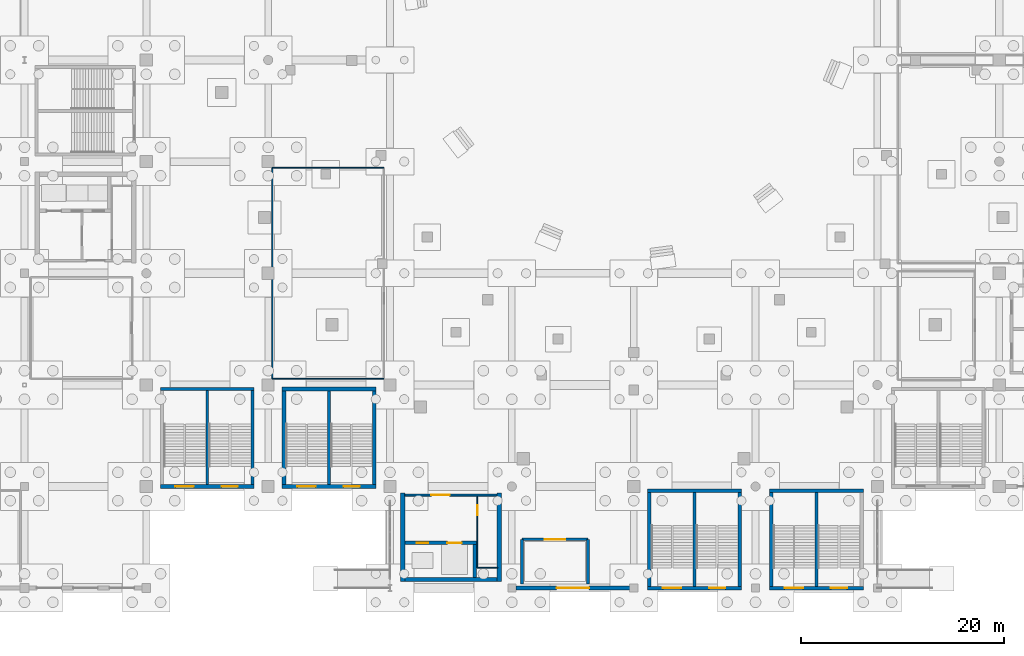
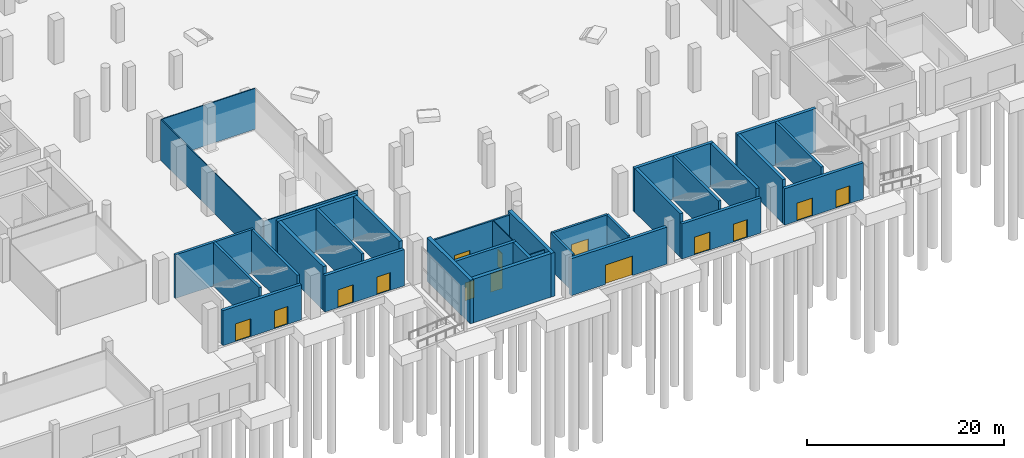
# One storey, part 50 of 70: 33 walls, 14 doors, 14 openings.
"""IFC4 building model written with IfcOpenShell, lengths in metres."""

from ifc_helpers import new_model, si_unit, direction, frame, frame_2d, origin, place, context, subcontext, project, spatial, rectangle, extrude, material, layer, layer_set, type_object, element, fill, save


model = new_model("IFC4")

# Units and contexts
model_context = context("Model", 3, precision=1e-05, world=origin(), true_north=direction((0.0, 1.0)))
body_context = subcontext(model_context, "Body", "Model", "MODEL_VIEW")
ifc_project = project(units=[si_unit("LENGTHUNIT", "METRE"), si_unit("AREAUNIT", "SQUARE_METRE"), si_unit("VOLUMEUNIT", "CUBIC_METRE"), si_unit("PLANEANGLEUNIT", "RADIAN"), si_unit("MASSUNIT", "GRAM", prefix="KILO")], contexts=[model_context])

# Site, building, storey
site_placement = place(None, origin())
site = spatial("IfcSite", under=ifc_project, at=site_placement, CompositionType="ELEMENT")
building_placement = place(site_placement, origin())
building = spatial("IfcBuilding", under=site, at=building_placement, Name="Brinegate Civic Arena", CompositionType="ELEMENT")
storey_placement = place(building_placement, origin())
storey = spatial("IfcBuildingStorey", under=building, at=storey_placement, Name="L00", CompositionType="ELEMENT", Elevation=0.0)

# Walls
ifc_material_1 = material(Name="Concrete C50/60", Category="concrete")
ifc_layer_1 = layer(ifc_material_1, 0.35009765625, Name="Concrete C50/60")
ifc_layer_set_1 = layer_set([ifc_layer_1], Name="Concrete C50/60")
wall_type_1 = type_object("IfcWallType", Name="WALL-CORE-SHEAR-350", PredefinedType="SHEAR", material=ifc_layer_set_1)
for number, where, z_axis, x_axis, name in (
    (1, (121.375, 9.60009765625, 0.0), (0.0, 0.0, 1.0), (1.0, 0.0, 0.0), "Stair ST-04 North Shear Wall L00 (WBB-93)"),
    (2, (121.550048828125, 0.175048828125, 0.0), (0.0, 0.0, 1.0), (0.0, 1.0, 0.0), "Stair ST-04 West Shear Wall L00 (WBB-94)"),
    (3, (109.375, 9.60009765625, 0.0), (0.0, 0.0, 1.0), (1.0, 0.0, 0.0), "Stair ST-16 North Shear Wall L00 (WBF-12)"),
    (4, (109.550048828125, 0.175048828125, 0.0), (0.0, 0.0, 1.0), (0.0, 1.0, 0.0), "Stair ST-16 West Shear Wall L00 (WBF-13)"),
    (5, (118.449951171875, 0.175048828125, 0.0), (0.0, 0.0, 1.0), (0.0, 1.0, 0.0), "Stair ST-16 East Shear Wall L00 (WBF-14)"),
):
    element("IfcWall", number, at=place(storey_placement, frame(where, z_axis=z_axis, x_axis=x_axis)), inside=storey, type_object=wall_type_1, Name=name, PredefinedType="SHEAR", context=body_context, shape_type="SweptSolid", body=[
        extrude(rectangle(XDim=9.25, YDim=0.35009765625, at=frame_2d((4.625, 0.0))), origin(), (0.0, 0.0, 1.0), 5.39990234375),
    ])

# Wall, openings, doors
wall_1_placement = place(storey_placement, frame((85.4599609375, 4.449951171875, 0.0), z_axis=(0.0, 0.0, 1.0), x_axis=(1.0, 0.0, 0.0)))
wall_1 = element("IfcWall", 6, at=wall_1_placement, inside=storey, type_object=wall_type_1, Name="Core K4 Lift Shaft Front Wall L00 (WBH-03)", PredefinedType="SHEAR", context=body_context, shape_type="SweptSolid", body=[
    extrude(rectangle(XDim=7.06494140625, YDim=0.35009765625, at=frame_2d((3.532470703125, 0.0))), origin(), (0.0, 0.0, 1.0), 5.39990234375),
])
opening_1_placement = place(wall_1_placement, frame((1.18994140625, 0.0, 0.0)))
opening_1 = element("IfcOpeningElement", 7, at=opening_1_placement, cuts=wall_1, Name="Opening LD-PL6-L00", PredefinedType="OPENING", context=body_context, shape_type="SweptSolid", body=[
    extrude(rectangle(XDim=1.10009765625, YDim=2.199951171875, at=frame_2d((0.550048828125, 1.10009765625))), frame((0.0, 0.18505859375, 0.0), z_axis=(0.0, -1.0, 0.0), x_axis=(1.0, 0.0, 0.0)), (0.0, 0.0, 1.0), 0.3701171875),
])
opening_2_placement = place(wall_1_placement, frame((4.18994140625, 0.0, 0.0)))
opening_2 = element("IfcOpeningElement", 8, at=opening_2_placement, cuts=wall_1, Name="Opening LD-GL1-L00", PredefinedType="OPENING", context=body_context, shape_type="SweptSolid", body=[
    extrude(rectangle(XDim=1.39990234375, YDim=2.300048828125, at=frame_2d((0.699951171875, 1.14990234375))), frame((0.0, 0.18505859375, 0.0), z_axis=(0.0, -1.0, 0.0), x_axis=(1.0, 0.0, 0.0)), (0.0, 0.0, 1.0), 0.3701171875),
])
ifc_material_2 = material(Name="Architectural stainless steel balustrade", Category="steel")
door_type_1 = type_object("IfcDoorType", Name="DOOR-LIFT-1100X2200", OperationType="SLIDING_TO_LEFT", PredefinedType="DOOR", material=ifc_material_2)
door_1_placement = place(opening_1_placement, origin())
door_1 = element("IfcDoor", 9, at=door_1_placement, inside=storey, type_object=door_type_1, Name="Sliding Lift Landing Door LD-PL6-L00", OperationType="SLIDING_TO_LEFT", OverallHeight=2.199951171875, OverallWidth=1.10009765625, PredefinedType="DOOR", context=body_context, shape_type="SweptSolid", body=[
    extrude(rectangle(XDim=1.10009765625, YDim=2.199951171875, at=frame_2d((0.550048828125, 1.10009765625))), frame((0.0, 0.02490234375, 0.0), z_axis=(0.0, -1.0, 0.0), x_axis=(1.0, 0.0, 0.0)), (0.0, 0.0, 1.0), 0.050048828125),
])
fill(opening_1, door_1)
door_type_2 = type_object("IfcDoorType", Name="DOOR-LIFT-1400X2300", OperationType="SLIDING_TO_LEFT", PredefinedType="DOOR", material=ifc_material_2)
door_2_placement = place(opening_2_placement, origin())
door_2 = element("IfcDoor", 10, at=door_2_placement, inside=storey, type_object=door_type_2, Name="Sliding Lift Landing Door LD-GL1-L00", OperationType="SLIDING_TO_LEFT", OverallHeight=2.300048828125, OverallWidth=1.39990234375, PredefinedType="DOOR", context=body_context, shape_type="SweptSolid", body=[
    extrude(rectangle(XDim=1.39990234375, YDim=2.300048828125, at=frame_2d((0.699951171875, 1.14990234375))), frame((0.0, 0.02490234375, 0.0), z_axis=(0.0, -1.0, 0.0), x_axis=(1.0, 0.0, 0.0)), (0.0, 0.0, 1.0), 0.050048828125),
])
fill(opening_2, door_2)

# Walls
wall_2_placement = place(storey_placement, frame((92.35009765625, 1.06005859375, 0.0), z_axis=(0.0, 0.0, 1.0), x_axis=(0.0, 1.0, 0.0)))
element("IfcWall", 11, at=wall_2_placement, inside=storey, type_object=wall_type_1, Name="Core K4 Lift Shaft End Wall L00 (WBH-04)", PredefinedType="SHEAR", context=body_context, shape_type="SweptSolid", body=[
    extrude(rectangle(XDim=3.21484375, YDim=0.35009765625, at=frame_2d((1.607421875, 0.0))), origin(), (0.0, 0.0, 1.0), 5.39990234375),
])
ifc_layer_2 = layer(ifc_material_1, 0.389892578125, Name="Concrete C50/60")
ifc_layer_set_2 = layer_set([ifc_layer_2], Name="Concrete C50/60")
wall_type_2 = type_object("IfcWallType", Name="WALL-CORE-SHEAR-390", PredefinedType="SHEAR", material=ifc_layer_set_2)
wall_3_placement = place(storey_placement, frame((73.35498046875, 19.60009765625, 0.0), z_axis=(0.0, 0.0, 1.0), x_axis=(1.0, 0.0, 0.0)))
element("IfcWall", 12, at=wall_3_placement, inside=storey, type_object=wall_type_2, Name="Stair ST-12 North Shear Wall L00 (WBE-06)", PredefinedType="SHEAR", context=body_context, shape_type="SweptSolid", body=[
    extrude(rectangle(XDim=9.2900390625, YDim=0.389892578125, at=frame_2d((4.64501953125, 0.0))), origin(), (0.0, 0.0, 1.0), 5.39990234375),
])
for number, where, z_axis, x_axis, name in (
    (13, (73.550048828125, 10.175048828125, 0.0), (0.0, 0.0, 1.0), (0.0, 1.0, 0.0), "Stair ST-12 West Shear Wall L00 (WBE-07)"),
    (14, (82.449951171875, 10.175048828125, 0.0), (0.0, 0.0, 1.0), (0.0, 1.0, 0.0), "Stair ST-12 East Shear Wall L00 (WBE-08)"),
):
    element("IfcWall", number, at=place(storey_placement, frame(where, z_axis=z_axis, x_axis=x_axis)), inside=storey, type_object=wall_type_2, Name=name, PredefinedType="SHEAR", context=body_context, shape_type="SweptSolid", body=[
        extrude(rectangle(XDim=9.22998046875, YDim=0.389892578125, at=frame_2d((4.614990234375, 0.0))), origin(), (0.0, 0.0, 1.0), 5.39990234375),
    ])
ifc_layer_3 = layer(ifc_material_1, 0.419921875, Name="Concrete C50/60")
ifc_layer_set_3 = layer_set([ifc_layer_3], Name="Concrete C50/60")
wall_type_3 = type_object("IfcWallType", Name="WALL-CORE-SHEAR-420", PredefinedType="SHEAR", material=ifc_layer_set_3)
for number, where, z_axis, x_axis, name in (
    (15, (85.25, 0.639892578125, 0.0), (0.0, 0.0, 1.0), (0.0, 1.0, 0.0), "Core K4 West Shear Wall L00 (WBG-99)"),
    (16, (94.75, 0.639892578125, 0.0), (0.0, 0.0, 1.0), (0.0, 1.0, 0.0), "Core K4 East Shear Wall L00 (WBH-01)"),
):
    element("IfcWall", number, at=place(storey_placement, frame(where, z_axis=z_axis, x_axis=x_axis)), inside=storey, type_object=wall_type_3, Name=name, PredefinedType="SHEAR", context=body_context, shape_type="SweptSolid", body=[
        extrude(rectangle(XDim=8.72021484375, YDim=0.419921875, at=frame_2d((4.360107421875, 0.0))), origin(), (0.0, 0.0, 1.0), 5.39990234375),
    ])
wall_4_placement = place(storey_placement, frame((85.4599609375, 0.85009765625, 0.0), z_axis=(0.0, 0.0, 1.0), x_axis=(1.0, 0.0, 0.0)))
element("IfcWall", 17, at=wall_4_placement, inside=storey, type_object=wall_type_3, Name="Core K4 South Shear Wall L00 (WBH-02)", PredefinedType="SHEAR", context=body_context, shape_type="SweptSolid", body=[
    extrude(rectangle(XDim=9.080078125, YDim=0.419921875, at=frame_2d((4.5400390625, 0.0))), origin(), (0.0, 0.0, 1.0), 5.39990234375),
])

# Wall, opening, door
ifc_material_3 = material(Name="Precast concrete C45/55", Category="concrete")
ifc_layer_4 = layer(ifc_material_3, 0.360107421875, Name="Precast concrete C45/55")
ifc_layer_set_4 = layer_set([ifc_layer_4], Name="Precast concrete C45/55")
wall_type_4 = type_object("IfcWallType", Name="WALL-EXT-PRECAST-360", PredefinedType="SOLIDWALL", material=ifc_layer_set_4)
wall_5_placement = place(storey_placement, frame((96.385009765625, 0.0, 0.0), z_axis=(0.0, 0.0, 1.0), x_axis=(1.0, 0.0, 0.0)))
wall_5 = element("IfcWall", 18, at=wall_5_placement, inside=storey, type_object=wall_type_4, Name="L00 Perimeter Wall SP-1 (WBA-20)", PredefinedType="SOLIDWALL", context=body_context, shape_type="SweptSolid", body=[
    extrude(rectangle(XDim=11.22998046875, YDim=0.360107421875, at=frame_2d((5.614990234375, 0.0))), origin(), (0.0, 0.0, 1.0), 4.573974609375),
])
opening_3_placement = place(wall_5_placement, frame((4.014892578125, 0.0, 0.0)))
opening_3 = element("IfcOpeningElement", 19, at=opening_3_placement, cuts=wall_5, Name="Opening E-01", PredefinedType="OPENING", context=body_context, shape_type="SweptSolid", body=[
    extrude(rectangle(XDim=3.199951171875, YDim=2.39990234375, at=frame_2d((1.60009765625, 1.199951171875))), frame((0.0, 0.18994140625, 0.0), z_axis=(0.0, -1.0, 0.0), x_axis=(1.0, 0.0, 0.0)), (0.0, 0.0, 1.0), 0.380126953125),
])
ifc_material_4 = material(Name="Marine grade aluminium", Category="aluminium")
door_type_3 = type_object("IfcDoorType", Name="DOOR-FINAL-EXIT-3200X2400", OperationType="NOTDEFINED", PredefinedType="DOOR", material=ifc_material_4)
door_3_placement = place(opening_3_placement, frame((3.199951171875, 0.0, 0.0), z_axis=(0.0, 0.0, 1.0), x_axis=(-1.0, 0.0, 0.0)))
door_3 = element("IfcDoor", 20, at=door_3_placement, inside=storey, type_object=door_type_3, Name="Main Pedestrian Final Exit Door E-01", OperationType="DOUBLE_DOOR_SINGLE_SWING", OverallHeight=2.39990234375, OverallWidth=3.199951171875, PredefinedType="DOOR", context=body_context, shape_type="SweptSolid", body=[
    extrude(rectangle(XDim=3.199951171875, YDim=2.39990234375, at=frame_2d((1.60009765625, 1.199951171875))), frame((0.0, 0.02490234375, 0.0), z_axis=(0.0, -1.0, 0.0), x_axis=(1.0, 0.0, 0.0)), (0.0, 0.0, 1.0), 0.050048828125),
])
fill(opening_3, door_3)

# Wall, openings, doors
ifc_layer_5 = layer(ifc_material_1, 0.35009765625, Name="Concrete C50/60")
ifc_layer_set_5 = layer_set([ifc_layer_5], Name="Concrete C50/60")
wall_type_5 = type_object("IfcWallType", Name="WALL-EXT-STAIR-SHEAR-350", PredefinedType="SHEAR", material=ifc_layer_set_5)
wall_6_placement = place(storey_placement, frame((61.405029296875, 10.0, 0.0), z_axis=(0.0, 0.0, 1.0), x_axis=(1.0, 0.0, 0.0)))
wall_6 = element("IfcWall", 21, at=wall_6_placement, inside=storey, type_object=wall_type_5, Name="Stair ST-02 South Shear Wall L00 (WBB-32)", PredefinedType="SHEAR", context=body_context, shape_type="SweptSolid", body=[
    extrude(rectangle(XDim=9.18994140625, YDim=0.35009765625, at=frame_2d((4.594970703125, 0.0))), origin(), (0.0, 0.0, 1.0), 4.346923828125),
])
opening_4_placement = place(wall_6_placement, frame((1.469970703125, 0.0, 0.0)))
opening_4 = element("IfcOpeningElement", 22, at=opening_4_placement, cuts=wall_6, Name="Opening E-ST02A", PredefinedType="OPENING", context=body_context, shape_type="SweptSolid", body=[
    extrude(rectangle(XDim=1.800048828125, YDim=2.199951171875, at=frame_2d((0.89990234375, 1.10009765625))), frame((0.0, 0.18505859375, 0.0), z_axis=(0.0, -1.0, 0.0), x_axis=(1.0, 0.0, 0.0)), (0.0, 0.0, 1.0), 0.3701171875),
])
opening_5_placement = place(wall_6_placement, frame((6.02001953125, 0.0, 0.0)))
opening_5 = element("IfcOpeningElement", 23, at=opening_5_placement, cuts=wall_6, Name="Opening E-ST02B", PredefinedType="OPENING", context=body_context, shape_type="SweptSolid", body=[
    extrude(rectangle(XDim=1.60009765625, YDim=2.199951171875, at=frame_2d((0.800048828125, 1.10009765625))), frame((0.0, 0.18505859375, 0.0), z_axis=(0.0, -1.0, 0.0), x_axis=(1.0, 0.0, 0.0)), (0.0, 0.0, 1.0), 0.3701171875),
])
door_type_4 = type_object("IfcDoorType", Name="DOOR-LOGGIA-1600X2200", OperationType="NOTDEFINED", PredefinedType="DOOR", material=ifc_material_4)
door_4_placement = place(opening_5_placement, frame((1.60009765625, 0.0, 0.0), z_axis=(0.0, 0.0, 1.0), x_axis=(-1.0, 0.0, 0.0)))
door_4 = element("IfcDoor", 24, at=door_4_placement, inside=storey, type_object=door_type_4, Name="Stair Final Exit Discharge Door E-ST02B", OperationType="DOUBLE_DOOR_SINGLE_SWING", OverallHeight=2.199951171875, OverallWidth=1.60009765625, PredefinedType="DOOR", context=body_context, shape_type="SweptSolid", body=[
    extrude(rectangle(XDim=1.60009765625, YDim=2.199951171875, at=frame_2d((0.800048828125, 1.10009765625))), frame((0.0, 0.02490234375, 0.0), z_axis=(0.0, -1.0, 0.0), x_axis=(1.0, 0.0, 0.0)), (0.0, 0.0, 1.0), 0.050048828125),
])
fill(opening_5, door_4)
door_type_5 = type_object("IfcDoorType", Name="DOOR-LOGGIA-1800X2200", OperationType="NOTDEFINED", PredefinedType="DOOR", material=ifc_material_4)
door_5_placement = place(opening_4_placement, frame((1.800048828125, 0.0, 0.0), z_axis=(0.0, 0.0, 1.0), x_axis=(-1.0, 0.0, 0.0)))
door_5 = element("IfcDoor", 25, at=door_5_placement, inside=storey, type_object=door_type_5, Name="Stair Final Exit Discharge Door E-ST02A", OperationType="DOUBLE_DOOR_SINGLE_SWING", OverallHeight=2.199951171875, OverallWidth=1.800048828125, PredefinedType="DOOR", context=body_context, shape_type="SweptSolid", body=[
    extrude(rectangle(XDim=1.800048828125, YDim=2.199951171875, at=frame_2d((0.89990234375, 1.10009765625))), frame((0.0, 0.02490234375, 0.0), z_axis=(0.0, -1.0, 0.0), x_axis=(1.0, 0.0, 0.0)), (0.0, 0.0, 1.0), 0.050048828125),
])
fill(opening_4, door_5)

wall_7_placement = place(storey_placement, frame((121.375, 0.0, 0.0), z_axis=(0.0, 0.0, 1.0), x_axis=(1.0, 0.0, 0.0)))
wall_7 = element("IfcWall", 26, at=wall_7_placement, inside=storey, type_object=wall_type_5, Name="Stair ST-04 South Shear Wall L00 (WBB-92)", PredefinedType="SHEAR", context=body_context, shape_type="SweptSolid", body=[
    extrude(rectangle(XDim=9.25, YDim=0.35009765625, at=frame_2d((4.625, 0.0))), origin(), (0.0, 0.0, 1.0), 4.49609375),
])
opening_6_placement = place(wall_7_placement, frame((1.5, 0.0, 0.0)))
opening_6 = element("IfcOpeningElement", 27, at=opening_6_placement, cuts=wall_7, Name="Opening E-ST04A", PredefinedType="OPENING", context=body_context, shape_type="SweptSolid", body=[
    extrude(rectangle(XDim=1.800048828125, YDim=2.199951171875, at=frame_2d((0.89990234375, 1.10009765625))), frame((0.0, 0.18505859375, 0.0), z_axis=(0.0, -1.0, 0.0), x_axis=(1.0, 0.0, 0.0)), (0.0, 0.0, 1.0), 0.3701171875),
])
opening_7_placement = place(wall_7_placement, frame((6.050048828125, 0.0, 0.0)))
opening_7 = element("IfcOpeningElement", 28, at=opening_7_placement, cuts=wall_7, Name="Opening E-ST04B", PredefinedType="OPENING", context=body_context, shape_type="SweptSolid", body=[
    extrude(rectangle(XDim=1.60009765625, YDim=2.199951171875, at=frame_2d((0.800048828125, 1.10009765625))), frame((0.0, 0.18505859375, 0.0), z_axis=(0.0, -1.0, 0.0), x_axis=(1.0, 0.0, 0.0)), (0.0, 0.0, 1.0), 0.3701171875),
])
door_6_placement = place(opening_7_placement, frame((1.60009765625, 0.0, 0.0), z_axis=(0.0, 0.0, 1.0), x_axis=(-1.0, 0.0, 0.0)))
door_6 = element("IfcDoor", 29, at=door_6_placement, inside=storey, type_object=door_type_4, Name="Stair Final Exit Discharge Door E-ST04B", OperationType="DOUBLE_DOOR_SINGLE_SWING", OverallHeight=2.199951171875, OverallWidth=1.60009765625, PredefinedType="DOOR", context=body_context, shape_type="SweptSolid", body=[
    extrude(rectangle(XDim=1.60009765625, YDim=2.199951171875, at=frame_2d((0.800048828125, 1.10009765625))), frame((0.0, 0.02490234375, 0.0), z_axis=(0.0, -1.0, 0.0), x_axis=(1.0, 0.0, 0.0)), (0.0, 0.0, 1.0), 0.050048828125),
])
fill(opening_7, door_6)
door_7_placement = place(opening_6_placement, frame((1.800048828125, 0.0, 0.0), z_axis=(0.0, 0.0, 1.0), x_axis=(-1.0, 0.0, 0.0)))
door_7 = element("IfcDoor", 30, at=door_7_placement, inside=storey, type_object=door_type_5, Name="Stair Final Exit Discharge Door E-ST04A", OperationType="DOUBLE_DOOR_SINGLE_SWING", OverallHeight=2.199951171875, OverallWidth=1.800048828125, PredefinedType="DOOR", context=body_context, shape_type="SweptSolid", body=[
    extrude(rectangle(XDim=1.800048828125, YDim=2.199951171875, at=frame_2d((0.89990234375, 1.10009765625))), frame((0.0, 0.02490234375, 0.0), z_axis=(0.0, -1.0, 0.0), x_axis=(1.0, 0.0, 0.0)), (0.0, 0.0, 1.0), 0.050048828125),
])
fill(opening_6, door_7)

wall_8_placement = place(storey_placement, frame((73.35498046875, 10.0, 0.0), z_axis=(0.0, 0.0, 1.0), x_axis=(1.0, 0.0, 0.0)))
wall_8 = element("IfcWall", 31, at=wall_8_placement, inside=storey, type_object=wall_type_5, Name="Stair ST-12 South Shear Wall L00 (WBE-05)", PredefinedType="SHEAR", context=body_context, shape_type="SweptSolid", body=[
    extrude(rectangle(XDim=9.2900390625, YDim=0.35009765625, at=frame_2d((4.64501953125, 0.0))), origin(), (0.0, 0.0, 1.0), 4.49609375),
])
opening_8_placement = place(wall_8_placement, frame((1.52001953125, 0.0, 0.0)))
opening_8 = element("IfcOpeningElement", 32, at=opening_8_placement, cuts=wall_8, Name="Opening E-ST12A", PredefinedType="OPENING", context=body_context, shape_type="SweptSolid", body=[
    extrude(rectangle(XDim=1.800048828125, YDim=2.199951171875, at=frame_2d((0.89990234375, 1.10009765625))), frame((0.0, 0.18505859375, 0.0), z_axis=(0.0, -1.0, 0.0), x_axis=(1.0, 0.0, 0.0)), (0.0, 0.0, 1.0), 0.3701171875),
])
opening_9_placement = place(wall_8_placement, frame((6.070068359375, 0.0, 0.0)))
opening_9 = element("IfcOpeningElement", 33, at=opening_9_placement, cuts=wall_8, Name="Opening E-ST12B", PredefinedType="OPENING", context=body_context, shape_type="SweptSolid", body=[
    extrude(rectangle(XDim=1.60009765625, YDim=2.199951171875, at=frame_2d((0.800048828125, 1.10009765625))), frame((0.0, 0.18505859375, 0.0), z_axis=(0.0, -1.0, 0.0), x_axis=(1.0, 0.0, 0.0)), (0.0, 0.0, 1.0), 0.3701171875),
])
door_8_placement = place(opening_9_placement, frame((1.60009765625, 0.0, 0.0), z_axis=(0.0, 0.0, 1.0), x_axis=(-1.0, 0.0, 0.0)))
door_8 = element("IfcDoor", 34, at=door_8_placement, inside=storey, type_object=door_type_4, Name="Stair Final Exit Discharge Door E-ST12B", OperationType="DOUBLE_DOOR_SINGLE_SWING", OverallHeight=2.199951171875, OverallWidth=1.60009765625, PredefinedType="DOOR", context=body_context, shape_type="SweptSolid", body=[
    extrude(rectangle(XDim=1.60009765625, YDim=2.199951171875, at=frame_2d((0.800048828125, 1.10009765625))), frame((0.0, 0.02490234375, 0.0), z_axis=(0.0, -1.0, 0.0), x_axis=(1.0, 0.0, 0.0)), (0.0, 0.0, 1.0), 0.050048828125),
])
fill(opening_9, door_8)
door_9_placement = place(opening_8_placement, frame((1.800048828125, 0.0, 0.0), z_axis=(0.0, 0.0, 1.0), x_axis=(-1.0, 0.0, 0.0)))
door_9 = element("IfcDoor", 35, at=door_9_placement, inside=storey, type_object=door_type_5, Name="Stair Final Exit Discharge Door E-ST12A", OperationType="DOUBLE_DOOR_SINGLE_SWING", OverallHeight=2.199951171875, OverallWidth=1.800048828125, PredefinedType="DOOR", context=body_context, shape_type="SweptSolid", body=[
    extrude(rectangle(XDim=1.800048828125, YDim=2.199951171875, at=frame_2d((0.89990234375, 1.10009765625))), frame((0.0, 0.02490234375, 0.0), z_axis=(0.0, -1.0, 0.0), x_axis=(1.0, 0.0, 0.0)), (0.0, 0.0, 1.0), 0.050048828125),
])
fill(opening_8, door_9)

wall_9_placement = place(storey_placement, frame((109.375, 0.0, 0.0), z_axis=(0.0, 0.0, 1.0), x_axis=(1.0, 0.0, 0.0)))
wall_9 = element("IfcWall", 36, at=wall_9_placement, inside=storey, type_object=wall_type_5, Name="Stair ST-16 South Shear Wall L00 (WBF-11)", PredefinedType="SHEAR", context=body_context, shape_type="SweptSolid", body=[
    extrude(rectangle(XDim=9.25, YDim=0.35009765625, at=frame_2d((4.625, 0.0))), origin(), (0.0, 0.0, 1.0), 4.346923828125),
])
opening_10_placement = place(wall_9_placement, frame((1.5, 0.0, 0.0)))
opening_10 = element("IfcOpeningElement", 37, at=opening_10_placement, cuts=wall_9, Name="Opening E-ST16A", PredefinedType="OPENING", context=body_context, shape_type="SweptSolid", body=[
    extrude(rectangle(XDim=1.800048828125, YDim=2.199951171875, at=frame_2d((0.89990234375, 1.10009765625))), frame((0.0, 0.18505859375, 0.0), z_axis=(0.0, -1.0, 0.0), x_axis=(1.0, 0.0, 0.0)), (0.0, 0.0, 1.0), 0.3701171875),
])
opening_11_placement = place(wall_9_placement, frame((6.050048828125, 0.0, 0.0)))
opening_11 = element("IfcOpeningElement", 38, at=opening_11_placement, cuts=wall_9, Name="Opening E-ST16B", PredefinedType="OPENING", context=body_context, shape_type="SweptSolid", body=[
    extrude(rectangle(XDim=1.60009765625, YDim=2.199951171875, at=frame_2d((0.800048828125, 1.10009765625))), frame((0.0, 0.18505859375, 0.0), z_axis=(0.0, -1.0, 0.0), x_axis=(1.0, 0.0, 0.0)), (0.0, 0.0, 1.0), 0.3701171875),
])
door_10_placement = place(opening_11_placement, frame((1.60009765625, 0.0, 0.0), z_axis=(0.0, 0.0, 1.0), x_axis=(-1.0, 0.0, 0.0)))
door_10 = element("IfcDoor", 39, at=door_10_placement, inside=storey, type_object=door_type_4, Name="Stair Final Exit Discharge Door E-ST16B", OperationType="DOUBLE_DOOR_SINGLE_SWING", OverallHeight=2.199951171875, OverallWidth=1.60009765625, PredefinedType="DOOR", context=body_context, shape_type="SweptSolid", body=[
    extrude(rectangle(XDim=1.60009765625, YDim=2.199951171875, at=frame_2d((0.800048828125, 1.10009765625))), frame((0.0, 0.02490234375, 0.0), z_axis=(0.0, -1.0, 0.0), x_axis=(1.0, 0.0, 0.0)), (0.0, 0.0, 1.0), 0.050048828125),
])
fill(opening_11, door_10)
door_11_placement = place(opening_10_placement, frame((1.800048828125, 0.0, 0.0), z_axis=(0.0, 0.0, 1.0), x_axis=(-1.0, 0.0, 0.0)))
door_11 = element("IfcDoor", 40, at=door_11_placement, inside=storey, type_object=door_type_5, Name="Stair Final Exit Discharge Door E-ST16A", OperationType="DOUBLE_DOOR_SINGLE_SWING", OverallHeight=2.199951171875, OverallWidth=1.800048828125, PredefinedType="DOOR", context=body_context, shape_type="SweptSolid", body=[
    extrude(rectangle(XDim=1.800048828125, YDim=2.199951171875, at=frame_2d((0.89990234375, 1.10009765625))), frame((0.0, 0.02490234375, 0.0), z_axis=(0.0, -1.0, 0.0), x_axis=(1.0, 0.0, 0.0)), (0.0, 0.0, 1.0), 0.050048828125),
])
fill(opening_10, door_11)

# Walls
ifc_material_5 = material(Name="Concrete C40/50", Category="concrete")
ifc_layer_6 = layer(ifc_material_5, 0.25, Name="Concrete C40/50")
ifc_layer_set_6 = layer_set([ifc_layer_6], Name="Concrete C40/50")
wall_type_6 = type_object("IfcWallType", Name="WALL-INT-SOLID-250", PredefinedType="SOLIDWALL", material=ifc_layer_set_6)
for number, where, z_axis, x_axis, name in (
    (41, (103.5, 4.800048828125, 0.0), (0.0, 0.0, 1.0), (0.0, -1.0, 0.0), "Fire Command Centre Partition Wall E1 (WBI-21)"),
    (42, (97.0, 0.39990234375, 0.0), (0.0, 0.0, 1.0), (0.0, 1.0, 0.0), "Fire Command Centre Partition Wall E3 (WBI-22)"),
):
    element("IfcWall", number, at=place(storey_placement, frame(where, z_axis=z_axis, x_axis=x_axis)), inside=storey, type_object=wall_type_6, Name=name, PredefinedType="SOLIDWALL", context=body_context, shape_type="SweptSolid", body=[
        extrude(rectangle(XDim=4.400146484375, YDim=0.25, at=frame_2d((2.2001953125, 0.0))), origin(), (0.0, 0.0, 1.0), 4.623046875),
    ])

# Wall, opening, door
wall_10_placement = place(storey_placement, frame((97.0, 4.800048828125, 0.0), z_axis=(0.0, 0.0, 1.0), x_axis=(1.0, 0.0, 0.0)))
wall_10 = element("IfcWall", 43, at=wall_10_placement, inside=storey, type_object=wall_type_6, Name="Fire Command Centre Partition Wall E4 (WBI-23)", PredefinedType="SOLIDWALL", context=body_context, shape_type="SweptSolid", body=[
    extrude(rectangle(XDim=6.5, YDim=0.25, at=frame_2d((3.25, 0.0))), origin(), (0.0, 0.0, 1.0), 4.6298828125),
])
opening_12_placement = place(wall_10_placement, frame((2.25, 0.0, 0.0)))
opening_12 = element("IfcOpeningElement", 44, at=opening_12_placement, cuts=wall_10, Name="Opening D-L00-149", PredefinedType="OPENING", context=body_context, shape_type="SweptSolid", body=[
    extrude(rectangle(XDim=2.0, YDim=2.39990234375, at=frame_2d((1.0, 1.199951171875))), frame((0.0, 0.135009765625, 0.0), z_axis=(0.0, -1.0, 0.0), x_axis=(1.0, 0.0, 0.0)), (0.0, 0.0, 1.0), 0.27001953125),
])
ifc_material_6 = material(Name="Galvanized hurricane steel", Category="steel")
door_type_6 = type_object("IfcDoorType", Name="DOOR-PLANT-2000X2400", OperationType="NOTDEFINED", PredefinedType="DOOR", material=ifc_material_6)
door_12_placement = place(opening_12_placement, origin())
door_12 = element("IfcDoor", 45, at=door_12_placement, inside=storey, type_object=door_type_6, Name="Fire Command Centre Door D-L00-149", OperationType="DOUBLE_DOOR_SINGLE_SWING", OverallHeight=2.39990234375, OverallWidth=2.0, PredefinedType="DOOR", context=body_context, shape_type="SweptSolid", body=[
    extrude(rectangle(XDim=2.0, YDim=2.39990234375, at=frame_2d((1.0, 1.199951171875))), frame((0.0, 0.02490234375, 0.0), z_axis=(0.0, -1.0, 0.0), x_axis=(1.0, 0.0, 0.0)), (0.0, 0.0, 1.0), 0.050048828125),
])
fill(opening_12, door_12)

ifc_material_7 = material(Name="Concrete blockwork masonry", Category="masonry")
ifc_layer_7 = layer(ifc_material_7, 0.18994140625, Name="Concrete blockwork masonry")
ifc_layer_set_7 = layer_set([ifc_layer_7], Name="Concrete blockwork masonry")
wall_type_7 = type_object("IfcWallType", Name="WALL-PART-RATED-190", PredefinedType="PARTITIONING", material=ifc_layer_set_7)
wall_11_placement = place(storey_placement, frame((85.469970703125, 9.14990234375, 0.0), z_axis=(0.0, 0.0, 1.0), x_axis=(1.0, 0.0, 0.0)))
wall_11 = element("IfcWall", 46, at=wall_11_placement, inside=storey, type_object=wall_type_7, Name="Core K4 Concourse Lobby Wall L00 (WBH-05)", PredefinedType="PARTITIONING", context=body_context, shape_type="SweptSolid", body=[
    extrude(rectangle(XDim=9.06005859375, YDim=0.18994140625, at=frame_2d((4.530029296875, 0.0))), origin(), (0.0, 0.0, 1.0), 5.06005859375),
])
opening_13_placement = place(wall_11_placement, frame((2.60009765625, 0.0, 0.0)))
opening_13 = element("IfcOpeningElement", 47, at=opening_13_placement, cuts=wall_11, Name="Opening D-K4L-L00", PredefinedType="OPENING", context=body_context, shape_type="SweptSolid", body=[
    extrude(rectangle(XDim=1.800048828125, YDim=2.300048828125, at=frame_2d((0.89990234375, 1.14990234375))), frame((0.0, 0.10498046875, 0.0), z_axis=(0.0, -1.0, 0.0), x_axis=(1.0, 0.0, 0.0)), (0.0, 0.0, 1.0), 0.2099609375),
])
door_type_7 = type_object("IfcDoorType", Name="DOOR-CONC-1800X2300", OperationType="NOTDEFINED", PredefinedType="DOOR", material=ifc_material_4)
door_13_placement = place(opening_13_placement, origin())
door_13 = element("IfcDoor", 48, at=door_13_placement, inside=storey, type_object=door_type_7, Name="Lift Lobby Door D-K4L-L00", OperationType="DOUBLE_DOOR_SINGLE_SWING", OverallHeight=2.300048828125, OverallWidth=1.800048828125, PredefinedType="DOOR", context=body_context, shape_type="SweptSolid", body=[
    extrude(rectangle(XDim=1.800048828125, YDim=2.300048828125, at=frame_2d((0.89990234375, 1.14990234375))), frame((0.0, 0.02490234375, 0.0), z_axis=(0.0, -1.0, 0.0), x_axis=(1.0, 0.0, 0.0)), (0.0, 0.0, 1.0), 0.050048828125),
])
fill(opening_13, door_13)

# Walls
ifc_material_8 = material(Name="Fire-rated gypsum partition assembly")
ifc_layer_8 = layer(ifc_material_8, 0.114990234375, Name="Fire-rated gypsum partition assembly")
ifc_layer_set_8 = layer_set([ifc_layer_8], Name="Fire-rated gypsum partition assembly")
wall_type_8 = type_object("IfcWallType", Name="WALL-PART-STD-115", PredefinedType="PARTITIONING", material=ifc_layer_set_8)
wall_12_placement = place(storey_placement, frame((83.39990234375, 20.60009765625, 0.0), z_axis=(0.0, 0.0, 1.0), x_axis=(-1.0, 0.0, 0.0)))
element("IfcWall", 49, at=wall_12_placement, inside=storey, type_object=wall_type_8, Name="Event Production and Staging Workshop Partition Wall E2 (WBI-81)", PredefinedType="PARTITIONING", context=body_context, shape_type="SweptSolid", body=[
    extrude(rectangle(XDim=11.0, YDim=0.114990234375, at=frame_2d((5.5, 0.0))), origin(), (0.0, 0.0, 1.0), 5.06005859375),
])
wall_13_placement = place(storey_placement, frame((72.39990234375, 20.60009765625, 0.0), z_axis=(0.0, 0.0, 1.0), x_axis=(0.0, 1.0, 0.0)))
element("IfcWall", 50, at=wall_13_placement, inside=storey, type_object=wall_type_8, Name="Event Production and Staging Workshop Partition Wall E3 (WBI-82)", PredefinedType="PARTITIONING", context=body_context, shape_type="SweptSolid", body=[
    extrude(rectangle(XDim=20.7998046875, YDim=0.114990234375, at=frame_2d((10.39990234375, 0.0))), origin(), (0.0, 0.0, 1.0), 5.06005859375),
])
wall_14_placement = place(storey_placement, frame((72.39990234375, 41.39990234375, 0.0), z_axis=(0.0, 0.0, 1.0), x_axis=(1.0, 0.0, 0.0)))
element("IfcWall", 51, at=wall_14_placement, inside=storey, type_object=wall_type_8, Name="Event Production and Staging Workshop Partition Wall E4 (WBI-83)", PredefinedType="PARTITIONING", context=body_context, shape_type="SweptSolid", body=[
    extrude(rectangle(XDim=11.0, YDim=0.114990234375, at=frame_2d((5.5, 0.0))), origin(), (0.0, 0.0, 1.0), 5.06005859375),
])

# Wall, opening, door
ifc_layer_9 = layer(ifc_material_7, 0.10009765625, Name="Concrete blockwork masonry")
ifc_layer_set_9 = layer_set([ifc_layer_9], Name="Concrete blockwork masonry")
wall_type_9 = type_object("IfcWallType", Name="WALL-PART-WET-100", PredefinedType="PARTITIONING", material=ifc_layer_set_9)
wall_15_placement = place(storey_placement, frame((92.60009765625, 2.0, 0.0), z_axis=(0.0, 0.0, 1.0), x_axis=(0.0, 1.0, 0.0)))
wall_15 = element("IfcWall", 52, at=wall_15_placement, inside=storey, type_object=wall_type_9, Name="Accessible WC K4 Partition L00 (WBH-06)", PredefinedType="PARTITIONING", context=body_context, shape_type="SweptSolid", body=[
    extrude(rectangle(XDim=7.050048828125, YDim=0.10009765625, at=frame_2d((3.52490234375, 0.0))), origin(), (0.0, 0.0, 1.0), 5.06005859375),
])
opening_14_placement = place(wall_15_placement, frame((5.14990234375, 0.0, 0.0)))
opening_14 = element("IfcOpeningElement", 53, at=opening_14_placement, cuts=wall_15, Name="Opening D-K4W-L00", PredefinedType="OPENING", context=body_context, shape_type="SweptSolid", body=[
    extrude(rectangle(XDim=1.0, YDim=2.10009765625, at=frame_2d((0.5, 1.050048828125))), frame((0.0, 0.06005859375, 0.0), z_axis=(0.0, -1.0, 0.0), x_axis=(1.0, 0.0, 0.0)), (0.0, 0.0, 1.0), 0.1201171875),
])
ifc_material_9 = material(Name="Hardwood acoustic timber door", Category="wood")
door_type_8 = type_object("IfcDoorType", Name="DOOR-AWC-1000X2100", OperationType="NOTDEFINED", PredefinedType="DOOR", material=ifc_material_9)
door_14_placement = place(opening_14_placement, origin())
door_14 = element("IfcDoor", 54, at=door_14_placement, inside=storey, type_object=door_type_8, Name="Accessible WC Door D-K4W-L00", OperationType="SINGLE_SWING_LEFT", OverallHeight=2.10009765625, OverallWidth=1.0, PredefinedType="DOOR", context=body_context, shape_type="SweptSolid", body=[
    extrude(rectangle(XDim=1.0, YDim=2.10009765625, at=frame_2d((0.5, 1.050048828125))), frame((0.0, 0.02490234375, 0.0), z_axis=(0.0, -1.0, 0.0), x_axis=(1.0, 0.0, 0.0)), (0.0, 0.0, 1.0), 0.050048828125),
])
fill(opening_14, door_14)

# Walls
wall_16_placement = place(storey_placement, frame((92.60009765625, 2.0, 0.0), z_axis=(0.0, 0.0, 1.0), x_axis=(1.0, 0.0, 0.0)))
element("IfcWall", 55, at=wall_16_placement, inside=storey, type_object=wall_type_9, Name="Accessible WC K4 Back Partition L00 (WBH-07)", PredefinedType="PARTITIONING", context=body_context, shape_type="SweptSolid", body=[
    extrude(rectangle(XDim=2.0, YDim=0.10009765625, at=frame_2d((1.0, 0.0))), origin(), (0.0, 0.0, 1.0), 5.06005859375),
])
ifc_layer_10 = layer(ifc_material_1, 0.2900390625, Name="Concrete C50/60")
ifc_layer_set_10 = layer_set([ifc_layer_10], Name="Concrete C50/60")
wall_type_10 = type_object("IfcWallType", Name="WALL-STAIR-SHEAR-290", PredefinedType="SHEAR", material=ifc_layer_set_10)
wall_17_placement = place(storey_placement, frame((61.405029296875, 19.60009765625, 0.0), z_axis=(0.0, 0.0, 1.0), x_axis=(1.0, 0.0, 0.0)))
element("IfcWall", 56, at=wall_17_placement, inside=storey, type_object=wall_type_10, Name="Stair ST-02 North Shear Wall L00 (WBB-33)", PredefinedType="SHEAR", context=body_context, shape_type="SweptSolid", body=[
    extrude(rectangle(XDim=9.18994140625, YDim=0.2900390625, at=frame_2d((4.594970703125, 0.0))), origin(), (0.0, 0.0, 1.0), 5.39990234375),
])
for number, where, z_axis, x_axis, name in (
    (57, (70.449951171875, 10.175048828125, 0.0), (0.0, 0.0, 1.0), (0.0, 1.0, 0.0), "Stair ST-02 East Shear Wall L00 (WBB-35)"),
    (58, (66.0, 10.175048828125, 0.0), (0.0, 0.0, 1.0), (0.0, 1.0, 0.0), "Stair ST-02 Central Dividing Shear Wall L00 (WBB-36)"),
):
    element("IfcWall", number, at=place(storey_placement, frame(where, z_axis=z_axis, x_axis=x_axis)), inside=storey, type_object=wall_type_10, Name=name, PredefinedType="SHEAR", context=body_context, shape_type="SweptSolid", body=[
        extrude(rectangle(XDim=9.280029296875, YDim=0.2900390625, at=frame_2d((4.64013671875, 0.0))), origin(), (0.0, 0.0, 1.0), 5.39990234375),
    ])
wall_18_placement = place(storey_placement, frame((126.0, 0.175048828125, 0.0), z_axis=(0.0, 0.0, 1.0), x_axis=(0.0, 1.0, 0.0)))
element("IfcWall", 59, at=wall_18_placement, inside=storey, type_object=wall_type_10, Name="Stair ST-04 Central Dividing Shear Wall L00 (WBB-96)", PredefinedType="SHEAR", context=body_context, shape_type="SweptSolid", body=[
    extrude(rectangle(XDim=9.25, YDim=0.2900390625, at=frame_2d((4.625, 0.0))), origin(), (0.0, 0.0, 1.0), 5.39990234375),
])
wall_19_placement = place(storey_placement, frame((78.0, 10.175048828125, 0.0), z_axis=(0.0, 0.0, 1.0), x_axis=(0.0, 1.0, 0.0)))
element("IfcWall", 60, at=wall_19_placement, inside=storey, type_object=wall_type_10, Name="Stair ST-12 Central Dividing Shear Wall L00 (WBE-09)", PredefinedType="SHEAR", context=body_context, shape_type="SweptSolid", body=[
    extrude(rectangle(XDim=9.22998046875, YDim=0.2900390625, at=frame_2d((4.614990234375, 0.0))), origin(), (0.0, 0.0, 1.0), 5.39990234375),
])
wall_20_placement = place(storey_placement, frame((114.0, 0.175048828125, 0.0), z_axis=(0.0, 0.0, 1.0), x_axis=(0.0, 1.0, 0.0)))
element("IfcWall", 61, at=wall_20_placement, inside=storey, type_object=wall_type_10, Name="Stair ST-16 Central Dividing Shear Wall L00 (WBF-15)", PredefinedType="SHEAR", context=body_context, shape_type="SweptSolid", body=[
    extrude(rectangle(XDim=9.25, YDim=0.2900390625, at=frame_2d((4.625, 0.0))), origin(), (0.0, 0.0, 1.0), 5.39990234375),
])

save(model, "model.ifc")
